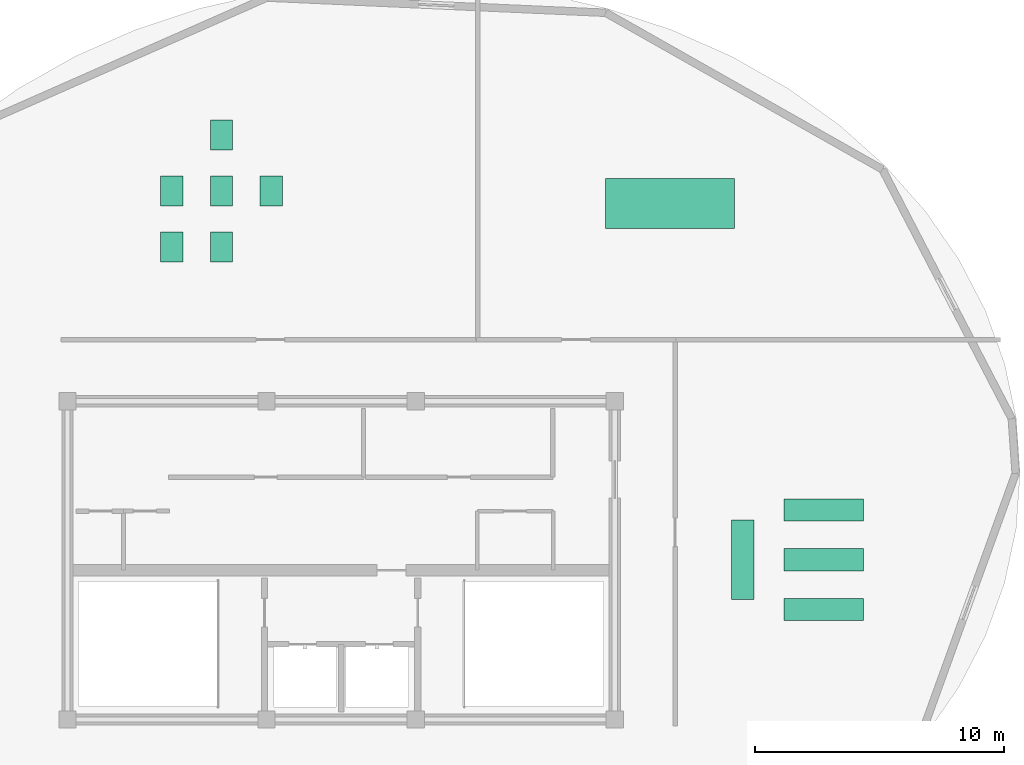
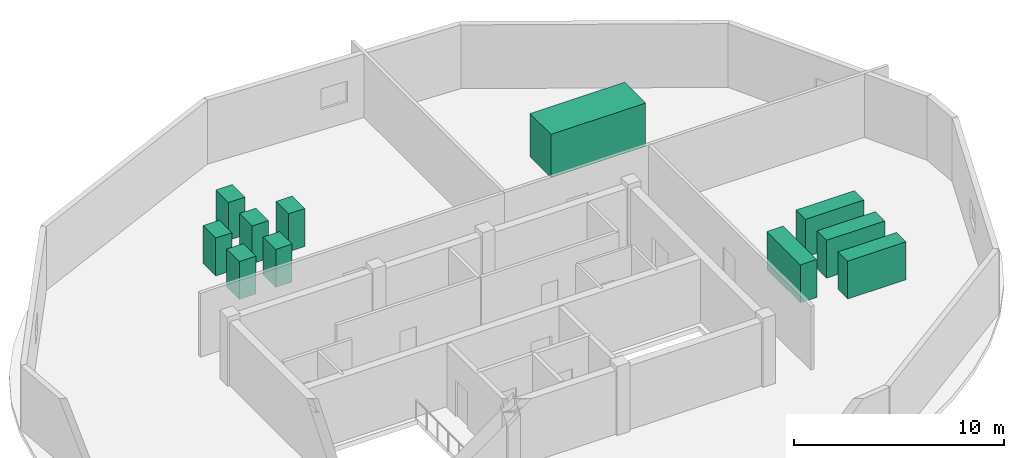
# One storey, part 4 of 4: 6 communications appliances, 4 electric distribution boards, 1 electric generator.
"""IFC4 building model written with IfcOpenShell, lengths in metres."""

from ifc_helpers import new_model, si_unit, direction, frame, origin, origin_2d, place, context, subcontext, project, spatial, rectangle, extrude, material, type_object, element, save


model = new_model("IFC4")

# Units and contexts
model_context = context("Model", 3, precision=1e-05, world=origin(), true_north=direction((0.0, 1.0)))
body_context = subcontext(model_context, "Body", "Model", "MODEL_VIEW")
ifc_project = project(units=[si_unit("LENGTHUNIT", "METRE"), si_unit("AREAUNIT", "SQUARE_METRE"), si_unit("VOLUMEUNIT", "CUBIC_METRE"), si_unit("PLANEANGLEUNIT", "RADIAN"), si_unit("MASSUNIT", "GRAM", prefix="KILO")], contexts=[model_context])

# Site, building, storey
site_placement = place(None, origin())
site = spatial("IfcSite", under=ifc_project, at=site_placement, CompositionType="ELEMENT")
building_placement = place(site_placement, origin())
building = spatial("IfcBuilding", under=site, at=building_placement, Name="Kazevale Care Tower and Concert Hall", CompositionType="ELEMENT")
storey_placement = place(building_placement, frame((0.0, 0.0, 308.800048828125)))
storey = spatial("IfcBuildingStorey", under=building, at=storey_placement, Name="L81", CompositionType="ELEMENT", Elevation=308.800048828125)

# Communications appliances
ifc_material_1 = material(Name="Aluminium 6063-T6", Category="aluminium")
communications_appliance_type = type_object("IfcCommunicationsApplianceType", Name="Broadcast Transmitter Cabinet 900x1200", PredefinedType="USERDEFINED", material=ifc_material_1)
for number, where, z_axis, x_axis, name in (
    (1, (28.19091796875, 44.85009765625, 0.0), (0.0, 0.0, 1.0), (1.0, 0.0, 0.0), "Broadcast Transmitter Cabinet L81-1"),
    (2, (26.19091796875, 44.85009765625, 0.0), (0.0, 0.0, 1.0), (1.0, 0.0, 0.0), "Broadcast Transmitter Cabinet L81-2"),
    (3, (30.19091796875, 44.85009765625, 0.0), (0.0, 0.0, 1.0), (1.0, 0.0, 0.0), "Broadcast Transmitter Cabinet L81-3"),
    (4, (28.19091796875, 42.60009765625, 0.0), (0.0, 0.0, 1.0), (1.0, 0.0, 0.0), "Broadcast Transmitter Cabinet L81-4"),
    (5, (28.19091796875, 47.10009765625, 0.0), (0.0, 0.0, 1.0), (1.0, 0.0, 0.0), "Broadcast Transmitter Cabinet L81-5"),
    (6, (26.19091796875, 42.60009765625, 0.0), (0.0, 0.0, 1.0), (1.0, 0.0, 0.0), "Broadcast Transmitter Cabinet L81-6"),
):
    element("IfcCommunicationsAppliance", number, at=place(storey_placement, frame(where, z_axis=z_axis, x_axis=x_axis)), inside=storey, type_object=communications_appliance_type, Name=name, ObjectType="TRANSMITTER CABINET", PredefinedType="USERDEFINED", context=body_context, shape_type="SweptSolid", body=[
        extrude(rectangle(XDim=0.89990234375, YDim=1.199951171875, at=origin_2d()), origin(), (0.0, 0.0, 1.0), 2.199951171875),
    ])

# Electric distribution boards
electric_distribution_board_type = type_object("IfcElectricDistributionBoardType", Name="Crown Switchgear Board 3200x900", PredefinedType="SWITCHBOARD", material=ifc_material_1)
for number, where, z_axis, x_axis, name in (
    (7, (52.39990234375, 30.02392578125, 0.0), (0.0, 0.0, 1.0), (1.0, 0.0, 0.0), "Crown Switchgear Board L81-1"),
    (8, (52.39990234375, 28.02392578125, 0.0), (0.0, 0.0, 1.0), (1.0, 0.0, 0.0), "Crown Switchgear Board L81-2"),
    (9, (52.39990234375, 32.02392578125, 0.0), (0.0, 0.0, 1.0), (1.0, 0.0, 0.0), "Crown Switchgear Board L81-3"),
    (10, (49.14990234375, 30.02392578125, 0.0), (0.0, 0.0, 1.0), (0.0, 1.0, 0.0), "Crown Switchgear Board L81-4"),
):
    element("IfcElectricDistributionBoard", number, at=place(storey_placement, frame(where, z_axis=z_axis, x_axis=x_axis)), inside=storey, type_object=electric_distribution_board_type, Name=name, PredefinedType="SWITCHBOARD", context=body_context, shape_type="SweptSolid", body=[
        extrude(rectangle(XDim=3.199951171875, YDim=0.89990234375, at=origin_2d()), origin(), (0.0, 0.0, 1.0), 2.199951171875),
    ])

# Electric generator
ifc_material_2 = material(Name="Stainless Steel 316", Category="steel")
electric_generator_type = type_object("IfcElectricGeneratorType", Name="Emergency Generator Set 1500 kVA 5200x2000", PredefinedType="ENGINEGENERATOR", material=ifc_material_2)
electric_generator_placement = place(storey_placement, frame((46.22509765625, 44.35009765625, 0.0), z_axis=(0.0, 0.0, 1.0), x_axis=(1.0, 0.0, 0.0)))
element("IfcElectricGenerator", 11, at=electric_generator_placement, inside=storey, type_object=electric_generator_type, Name="Emergency Generator Set L81-1", PredefinedType="ENGINEGENERATOR", context=body_context, shape_type="SweptSolid", body=[
    extrude(rectangle(XDim=5.199951171875, YDim=2.0, at=origin_2d()), origin(), (0.0, 0.0, 1.0), 2.5),
])

save(model, "model.ifc")
